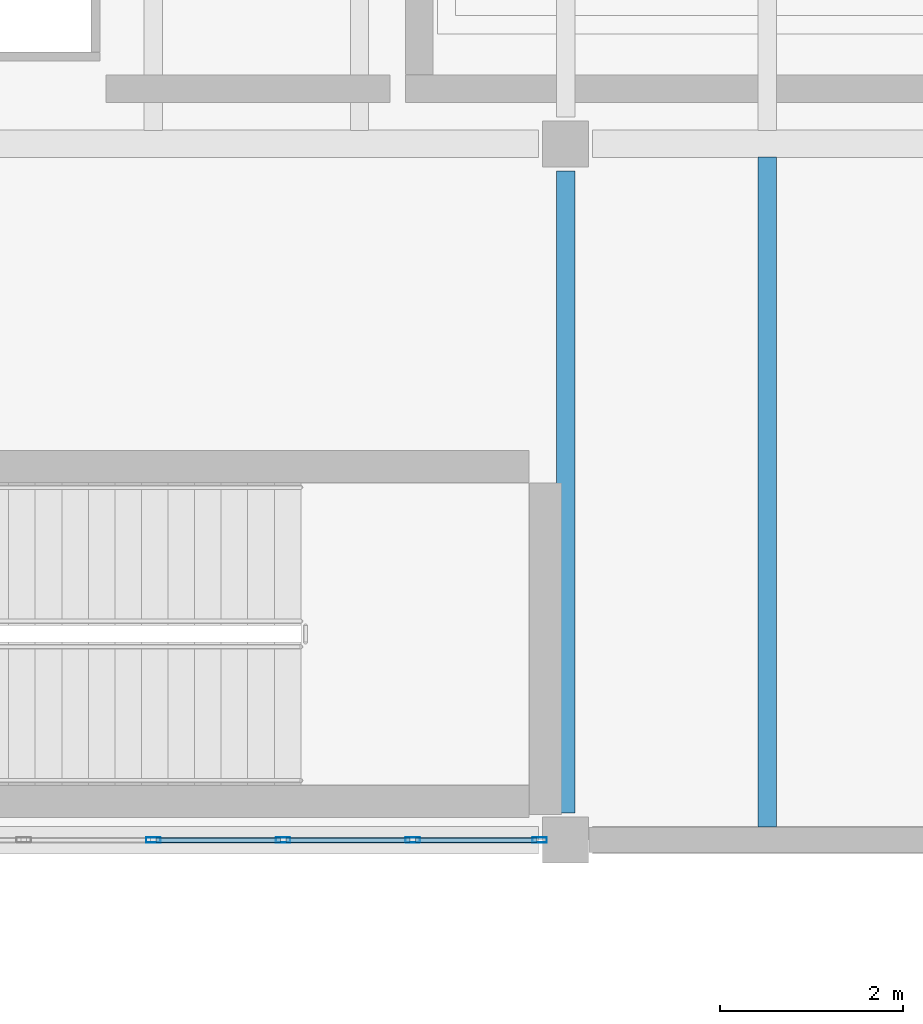
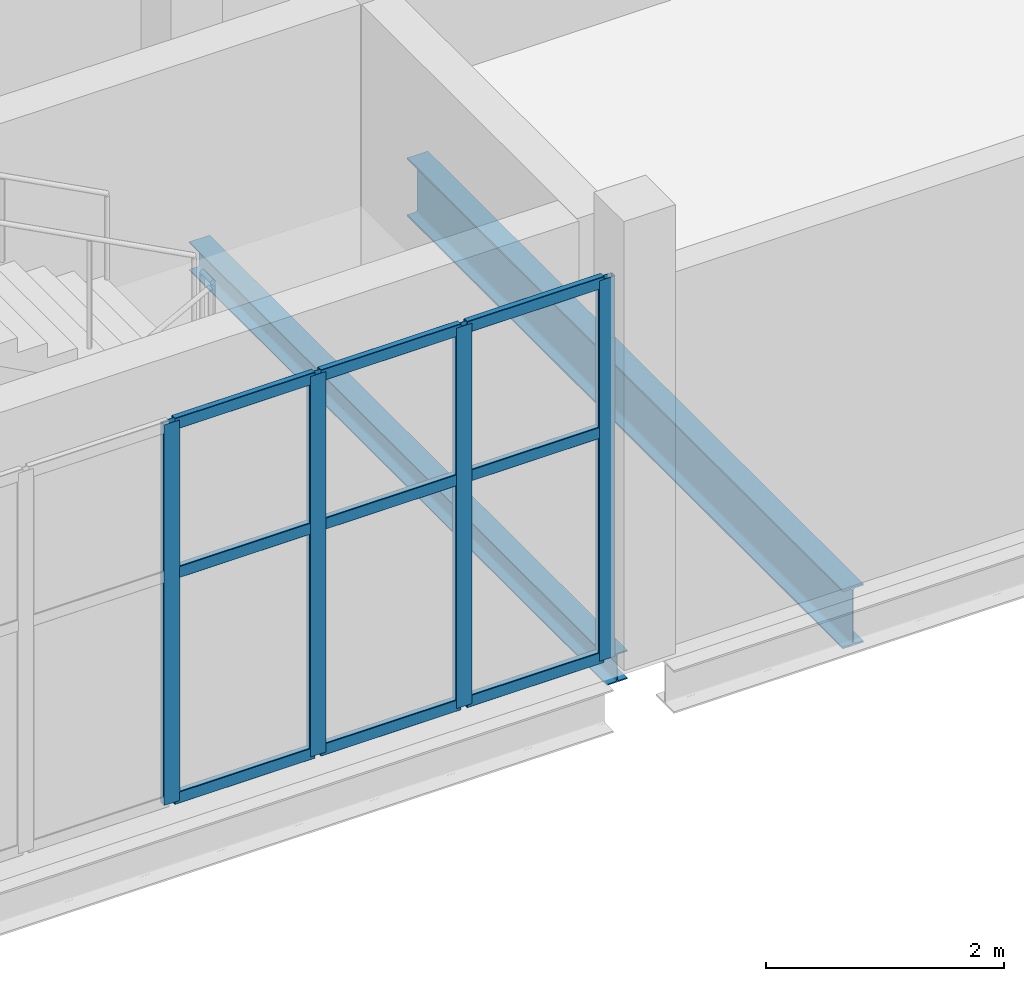
# One storey, part 44 of 74: 13 members, 2 beams, 1 element without a shape of its own.
"""IFC4 building model written with IfcOpenShell, lengths in metres."""

from ifc_helpers import new_model, si_unit, direction, frame, origin, origin_2d, place, context, subcontext, project, spatial, hollow_rectangle, i_section, extrude, material, material_profile, profile_set, type_object, element, aggregate, save


model = new_model("IFC4")

# Units and contexts
model_context = context("Model", 3, precision=1e-05, world=origin(), true_north=direction((0.0, 1.0)))
body_context = subcontext(model_context, "Body", "Model", "MODEL_VIEW")
ifc_project = project(units=[si_unit("LENGTHUNIT", "METRE"), si_unit("AREAUNIT", "SQUARE_METRE"), si_unit("VOLUMEUNIT", "CUBIC_METRE"), si_unit("PLANEANGLEUNIT", "RADIAN"), si_unit("MASSUNIT", "GRAM", prefix="KILO")], contexts=[model_context])

# Site, building, storey
site_placement = place(None, origin())
site = spatial("IfcSite", under=ifc_project, at=site_placement, CompositionType="ELEMENT")
building_placement = place(site_placement, origin())
building = spatial("IfcBuilding", under=site, at=building_placement, Name="Shengluoqiao Park Theatre", CompositionType="ELEMENT")
storey_placement = place(building_placement, frame((0.0, 0.0, 14.60009765625)))
storey = spatial("IfcBuildingStorey", under=building, at=storey_placement, Name="L03", CompositionType="ELEMENT", Elevation=14.60009765625)

# Curtain wall, members
ifc_material_1 = material(Name="Aluminium 6063-T6", Category="aluminium")
curtain_wall_type = type_object("IfcCurtainWallType", Name="ENV-CW-CLERE", PredefinedType="NOTDEFINED", material=ifc_material_1)
curtain_wall_placement = place(storey_placement, origin())
curtain_wall = element("IfcCurtainWall", 1, at=curtain_wall_placement, inside=storey, type_object=curtain_wall_type, Name="L03 Curtain Wall CWX-L03-0200", PredefinedType="NOTDEFINED")
ifc_material_profile_1 = material_profile(ifc_material_1, hollow_rectangle(XDim=0.06005859375, YDim=0.159912109375, WallThickness=0.00390625, InnerFilletRadius=0.00390625, OuterFilletRadius=0.008056640625, at=origin_2d()), Name="ALU MULLION 160x60x4")
ifc_profile_set_1 = profile_set([ifc_material_profile_1], Name="Aluminium 6063-T6")
member_type_1 = type_object("IfcMemberType", Name="ENV-MUL-160", PredefinedType="MULLION", material=ifc_profile_set_1)
member_1_placement = place(storey_placement, frame((143.89990234375, 84.0, 0.0), z_axis=(0.0, 0.0, 1.0), x_axis=(0.0, 1.0, 0.0)))
member_1 = element("IfcMember", 2, at=member_1_placement, type_object=member_type_1, Name="CW-06 mullion 4", PredefinedType="MULLION", context=body_context, shape_type="SweptSolid", body=[
    extrude(hollow_rectangle(XDim=0.06005859375, YDim=0.159912109375, WallThickness=0.00390625, InnerFilletRadius=0.00390625, OuterFilletRadius=0.008056640625, at=origin_2d()), origin(), (0.0, 0.0, 1.0), 3.89794921875),
])
member_2_placement = place(storey_placement, frame((145.3154296875, 84.0, 0.0), z_axis=(0.0, 0.0, 1.0), x_axis=(0.0, 1.0, 0.0)))
member_2 = element("IfcMember", 3, at=member_2_placement, type_object=member_type_1, Name="CW-06 mullion 5", PredefinedType="MULLION", context=body_context, shape_type="SweptSolid", body=[
    extrude(hollow_rectangle(XDim=0.06005859375, YDim=0.159912109375, WallThickness=0.00390625, InnerFilletRadius=0.00390625, OuterFilletRadius=0.008056640625, at=origin_2d()), origin(), (0.0, 0.0, 1.0), 3.89794921875),
])
member_3_placement = place(storey_placement, frame((146.730712890625, 84.0, 0.0), z_axis=(0.0, 0.0, 1.0), x_axis=(0.0, 1.0, 0.0)))
member_3 = element("IfcMember", 4, at=member_3_placement, type_object=member_type_1, Name="CW-06 mullion 6", PredefinedType="MULLION", context=body_context, shape_type="SweptSolid", body=[
    extrude(hollow_rectangle(XDim=0.06005859375, YDim=0.159912109375, WallThickness=0.00390625, InnerFilletRadius=0.00390625, OuterFilletRadius=0.008056640625, at=origin_2d()), origin(), (0.0, 0.0, 1.0), 3.89794921875),
])
member_4_placement = place(storey_placement, frame((148.115966796875, 84.0, 0.0), z_axis=(0.0, 0.0, 1.0), x_axis=(0.0, 1.0, 0.0)))
member_4 = element("IfcMember", 5, at=member_4_placement, type_object=member_type_1, Name="CW-06 mullion 7", PredefinedType="MULLION", context=body_context, shape_type="SweptSolid", body=[
    extrude(hollow_rectangle(XDim=0.06005859375, YDim=0.159912109375, WallThickness=0.00390625, InnerFilletRadius=0.00390625, OuterFilletRadius=0.008056640625, at=origin_2d()), origin(), (0.0, 0.0, 1.0), 3.89794921875),
])
ifc_material_profile_2 = material_profile(ifc_material_1, hollow_rectangle(XDim=0.06005859375, YDim=0.1201171875, WallThickness=0.00390625, InnerFilletRadius=0.00390625, OuterFilletRadius=0.008056640625, at=origin_2d()), Name="ALU TRANSOM 120x60x4")
ifc_profile_set_2 = profile_set([ifc_material_profile_2], Name="Aluminium 6063-T6")
member_type_2 = type_object("IfcMemberType", Name="ENV-TRN-120", PredefinedType="USERDEFINED", material=ifc_profile_set_2)
member_5_placement = place(storey_placement, frame((143.929931640625, 84.0, 0.02978515625), z_axis=(1.0, 0.0, 0.0), x_axis=(0.0, 1.0, 0.0)))
member_5 = element("IfcMember", 6, at=member_5_placement, type_object=member_type_2, Name="CW-06 transom 4.1", ObjectType="TRANSOM", PredefinedType="USERDEFINED", context=body_context, shape_type="SweptSolid", body=[
    extrude(hollow_rectangle(XDim=0.06005859375, YDim=0.1201171875, WallThickness=0.00390625, InnerFilletRadius=0.00390625, OuterFilletRadius=0.008056640625, at=origin_2d()), origin(), (0.0, 0.0, 1.0), 1.35546875),
])
member_6_placement = place(storey_placement, frame((143.929931640625, 84.0, 2.3388671875), z_axis=(1.0, 0.0, 0.0), x_axis=(0.0, 1.0, 0.0)))
member_6 = element("IfcMember", 7, at=member_6_placement, type_object=member_type_2, Name="CW-06 transom 4.2", ObjectType="TRANSOM", PredefinedType="USERDEFINED", context=body_context, shape_type="SweptSolid", body=[
    extrude(hollow_rectangle(XDim=0.06005859375, YDim=0.1201171875, WallThickness=0.00390625, InnerFilletRadius=0.00390625, OuterFilletRadius=0.008056640625, at=origin_2d()), origin(), (0.0, 0.0, 1.0), 1.35546875),
])
member_7_placement = place(storey_placement, frame((143.929931640625, 84.0, 3.867919921875), z_axis=(1.0, 0.0, 0.0), x_axis=(0.0, 1.0, 0.0)))
member_7 = element("IfcMember", 8, at=member_7_placement, type_object=member_type_2, Name="CW-06 transom 4.3", ObjectType="TRANSOM", PredefinedType="USERDEFINED", context=body_context, shape_type="SweptSolid", body=[
    extrude(hollow_rectangle(XDim=0.06005859375, YDim=0.1201171875, WallThickness=0.00390625, InnerFilletRadius=0.00390625, OuterFilletRadius=0.008056640625, at=origin_2d()), origin(), (0.0, 0.0, 1.0), 1.35546875),
])
member_8_placement = place(storey_placement, frame((145.34521484375, 84.0, 0.02978515625), z_axis=(1.0, 0.0, 0.0), x_axis=(0.0, 1.0, 0.0)))
member_8 = element("IfcMember", 9, at=member_8_placement, type_object=member_type_2, Name="CW-06 transom 5.1", ObjectType="TRANSOM", PredefinedType="USERDEFINED", context=body_context, shape_type="SweptSolid", body=[
    extrude(hollow_rectangle(XDim=0.06005859375, YDim=0.1201171875, WallThickness=0.00390625, InnerFilletRadius=0.00390625, OuterFilletRadius=0.008056640625, at=origin_2d()), origin(), (0.0, 0.0, 1.0), 1.35546875),
])
member_9_placement = place(storey_placement, frame((145.34521484375, 84.0, 2.3388671875), z_axis=(1.0, 0.0, 0.0), x_axis=(0.0, 1.0, 0.0)))
member_9 = element("IfcMember", 10, at=member_9_placement, type_object=member_type_2, Name="CW-06 transom 5.2", ObjectType="TRANSOM", PredefinedType="USERDEFINED", context=body_context, shape_type="SweptSolid", body=[
    extrude(hollow_rectangle(XDim=0.06005859375, YDim=0.1201171875, WallThickness=0.00390625, InnerFilletRadius=0.00390625, OuterFilletRadius=0.008056640625, at=origin_2d()), origin(), (0.0, 0.0, 1.0), 1.35546875),
])
member_10_placement = place(storey_placement, frame((145.34521484375, 84.0, 3.867919921875), z_axis=(1.0, 0.0, 0.0), x_axis=(0.0, 1.0, 0.0)))
member_10 = element("IfcMember", 11, at=member_10_placement, type_object=member_type_2, Name="CW-06 transom 5.3", ObjectType="TRANSOM", PredefinedType="USERDEFINED", context=body_context, shape_type="SweptSolid", body=[
    extrude(hollow_rectangle(XDim=0.06005859375, YDim=0.1201171875, WallThickness=0.00390625, InnerFilletRadius=0.00390625, OuterFilletRadius=0.008056640625, at=origin_2d()), origin(), (0.0, 0.0, 1.0), 1.35546875),
])
member_11_placement = place(storey_placement, frame((146.7607421875, 84.0, 0.02978515625), z_axis=(1.0, 0.0, 0.0), x_axis=(0.0, 1.0, 0.0)))
member_11 = element("IfcMember", 12, at=member_11_placement, type_object=member_type_2, Name="CW-06 transom 6.1", ObjectType="TRANSOM", PredefinedType="USERDEFINED", context=body_context, shape_type="SweptSolid", body=[
    extrude(hollow_rectangle(XDim=0.06005859375, YDim=0.1201171875, WallThickness=0.00390625, InnerFilletRadius=0.00390625, OuterFilletRadius=0.008056640625, at=origin_2d()), origin(), (0.0, 0.0, 1.0), 1.3251953125),
])
member_12_placement = place(storey_placement, frame((146.7607421875, 84.0, 2.3388671875), z_axis=(1.0, 0.0, 0.0), x_axis=(0.0, 1.0, 0.0)))
member_12 = element("IfcMember", 13, at=member_12_placement, type_object=member_type_2, Name="CW-06 transom 6.2", ObjectType="TRANSOM", PredefinedType="USERDEFINED", context=body_context, shape_type="SweptSolid", body=[
    extrude(hollow_rectangle(XDim=0.06005859375, YDim=0.1201171875, WallThickness=0.00390625, InnerFilletRadius=0.00390625, OuterFilletRadius=0.008056640625, at=origin_2d()), origin(), (0.0, 0.0, 1.0), 1.3251953125),
])
member_13_placement = place(storey_placement, frame((146.7607421875, 84.0, 3.867919921875), z_axis=(1.0, 0.0, 0.0), x_axis=(0.0, 1.0, 0.0)))
member_13 = element("IfcMember", 14, at=member_13_placement, type_object=member_type_2, Name="CW-06 transom 6.3", ObjectType="TRANSOM", PredefinedType="USERDEFINED", context=body_context, shape_type="SweptSolid", body=[
    extrude(hollow_rectangle(XDim=0.06005859375, YDim=0.1201171875, WallThickness=0.00390625, InnerFilletRadius=0.00390625, OuterFilletRadius=0.008056640625, at=origin_2d()), origin(), (0.0, 0.0, 1.0), 1.3251953125),
])
aggregate(curtain_wall, [member_1, member_2, member_3, member_4, member_5, member_6, member_7, member_8, member_9, member_10, member_11, member_12, member_13])

# Beams
ifc_material_2 = material(Name="Steel Q355", Category="steel")
ifc_material_profile_3 = material_profile(ifc_material_2, i_section(OverallWidth=0.199951171875, OverallDepth=0.2939453125, WebThickness=0.008056640625, FlangeThickness=0.011962890625, FilletRadius=0.01611328125, at=origin_2d()), Name="HM 294x200x8x12")
ifc_profile_set_3 = profile_set([ifc_material_profile_3], Name="Steel Q355")
beam_type_1 = type_object("IfcBeamType", Name="STR-BM-G-HM294", PredefinedType="BEAM", material=ifc_profile_set_3)
beam_1_placement = place(storey_placement, frame((148.39990234375, 84.2939453125, -0.38720703125), z_axis=(0.0, 1.0, 0.0), x_axis=(-1.0, 0.0, 0.0)))
element("IfcBeam", 15, at=beam_1_placement, inside=storey, type_object=beam_type_1, Name="L03 Transverse Girder 01444", PredefinedType="BEAM", context=body_context, shape_type="SweptSolid", body=[
    extrude(i_section(OverallWidth=0.199951171875, OverallDepth=0.2939453125, WebThickness=0.008056640625, FlangeThickness=0.011962890625, FilletRadius=0.01611328125, at=origin_2d()), origin(), (0.0, 0.0, 1.0), 7.011962890625),
])
ifc_material_profile_4 = material_profile(ifc_material_2, i_section(OverallWidth=0.199951171875, OverallDepth=0.60009765625, WebThickness=0.010986328125, FlangeThickness=0.01708984375, FilletRadius=0.02001953125, at=origin_2d()), Name="HN 600x200x11x17")
ifc_profile_set_4 = profile_set([ifc_material_profile_4], Name="Steel Q355")
beam_type_2 = type_object("IfcBeamType", Name="STR-BM-J-HN600", PredefinedType="JOIST", material=ifc_profile_set_4)
beam_2_placement = place(storey_placement, frame((150.60009765625, 84.14501953125, -0.5400390625), z_axis=(0.0, 1.0, 0.0), x_axis=(-1.0, 0.0, 0.0)))
element("IfcBeam", 16, at=beam_2_placement, inside=storey, type_object=beam_type_2, Name="L03 Composite Joist 01465", PredefinedType="JOIST", context=body_context, shape_type="SweptSolid", body=[
    extrude(i_section(OverallWidth=0.199951171875, OverallDepth=0.60009765625, WebThickness=0.010986328125, FlangeThickness=0.01708984375, FilletRadius=0.02001953125, at=origin_2d()), origin(), (0.0, 0.0, 1.0), 7.31005859375),
])

save(model, "model.ifc")
